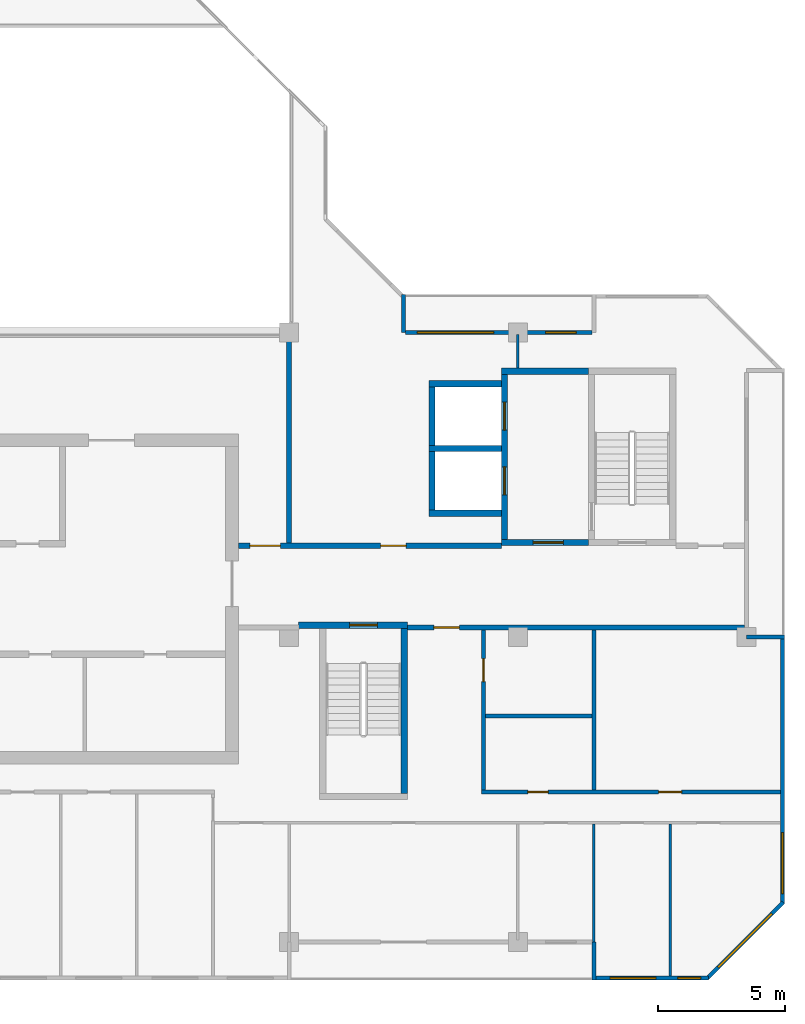
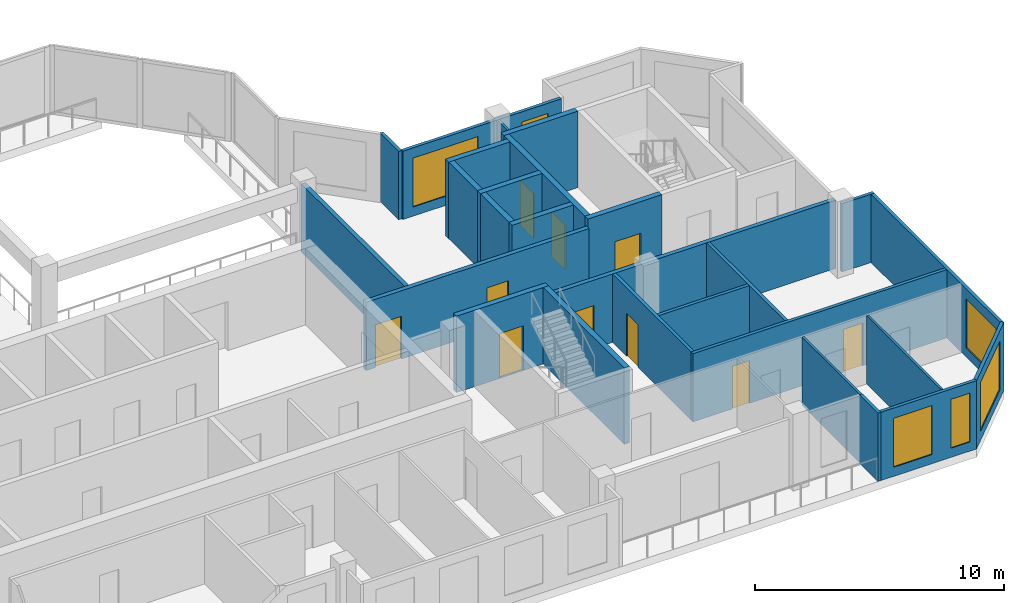
# One storey, part 6 of 12: 27 walls, 10 doors, 6 windows, 16 openings.
"""IFC4 building model written with IfcOpenShell, lengths in metres."""

from ifc_helpers import new_model, si_unit, direction, frame, frame_2d, origin, place, context, subcontext, project, spatial, rectangle, extrude, material, layer, layer_set, type_object, element, fill, save


model = new_model("IFC4")

# Units and contexts
model_context = context("Model", 3, precision=1e-05, world=origin(), true_north=direction((0.0, 1.0)))
body_context = subcontext(model_context, "Body", "Model", "MODEL_VIEW")
ifc_project = project(units=[si_unit("LENGTHUNIT", "METRE"), si_unit("AREAUNIT", "SQUARE_METRE"), si_unit("VOLUMEUNIT", "CUBIC_METRE"), si_unit("PLANEANGLEUNIT", "RADIAN"), si_unit("MASSUNIT", "GRAM", prefix="KILO")], contexts=[model_context])

# Site, building, storey
site_placement = place(None, origin())
site = spatial("IfcSite", under=ifc_project, at=site_placement, CompositionType="ELEMENT")
building_placement = place(site_placement, origin())
building = spatial("IfcBuilding", under=site, at=building_placement, Name="Chenar Terraces", CompositionType="ELEMENT")
storey_placement = place(building_placement, frame((0.0, 0.0, 350.14990234375)))
storey = spatial("IfcBuildingStorey", under=building, at=storey_placement, Name="L81", CompositionType="ELEMENT", Elevation=350.14990234375)

# Wall, opening, door
ifc_material_1 = material(Name="Concrete C50/60", Category="concrete")
ifc_layer_1 = layer(ifc_material_1, 0.25)
ifc_layer_set_1 = layer_set([ifc_layer_1], Name="Concrete C50/60")
wall_type_1 = type_object("IfcWallType", Name="Core wall 250 Concrete C50/60", PredefinedType="SHEAR", material=ifc_layer_set_1)
wall_1_placement = place(storey_placement, frame((36.375, 12.47509765625, 0.0), z_axis=(0.0, 0.0, 1.0), x_axis=(1.0, 0.0, 0.0)))
wall_1 = element("IfcWall", 1, at=wall_1_placement, inside=storey, type_object=wall_type_1, Name="Core wall ST2_N L81", PredefinedType="SHEAR", context=body_context, shape_type="SweptSolid", body=[
    extrude(rectangle(XDim=4.27490234375, YDim=0.25, at=frame_2d((2.137451171875, 0.0))), origin(), (0.0, 0.0, 1.0), 3.75),
])
opening_1_placement = place(wall_1_placement, frame((2.0, 0.0, 0.0)))
opening_1 = element("IfcOpeningElement", 2, at=opening_1_placement, cuts=wall_1, Name="Opening DL81-C7", PredefinedType="OPENING", context=body_context, shape_type="SweptSolid", body=[
    extrude(rectangle(XDim=1.10009765625, YDim=2.199951171875, at=frame_2d((0.550048828125, 1.10009765625))), frame((0.0, 0.135009765625, 0.0), z_axis=(0.0, -1.0, 0.0), x_axis=(1.0, 0.0, 0.0)), (0.0, 0.0, 1.0), 0.27001953125),
])
ifc_material_2 = material(Name="Steel-framed fire-resisting door leaf", Category="steel")
door_type_1 = type_object("IfcDoorType", Name="Stair fire door FD60 1100 x 2200", OperationType="SINGLE_SWING_LEFT", PredefinedType="DOOR", material=ifc_material_2)
door_1_placement = place(opening_1_placement, frame((1.10009765625, 0.0, 0.0), z_axis=(0.0, 0.0, 1.0), x_axis=(-1.0, 0.0, 0.0)))
door_1 = element("IfcDoor", 3, at=door_1_placement, inside=storey, type_object=door_type_1, Name="Stair door DL81-C7", OperationType="SINGLE_SWING_LEFT", OverallHeight=2.199951171875, OverallWidth=1.10009765625, PredefinedType="DOOR", context=body_context, shape_type="SweptSolid", body=[
    extrude(rectangle(XDim=1.10009765625, YDim=2.199951171875, at=frame_2d((0.550048828125, 1.10009765625))), frame((0.0, 0.02490234375, 0.0), z_axis=(0.0, -1.0, 0.0), x_axis=(1.0, 0.0, 0.0)), (0.0, 0.0, 1.0), 0.050048828125),
])
fill(opening_1, door_1)

# Wall
wall_2_placement = place(storey_placement, frame((40.52490234375, 5.85009765625, 0.0), z_axis=(0.0, 0.0, 1.0), x_axis=(0.0, 1.0, 0.0)))
element("IfcWall", 4, at=wall_2_placement, inside=storey, type_object=wall_type_1, Name="Core wall ST2_E L81", PredefinedType="SHEAR", context=body_context, shape_type="SweptSolid", body=[
    extrude(rectangle(XDim=6.5, YDim=0.25, at=frame_2d((3.25, 0.0))), origin(), (0.0, 0.0, 1.0), 3.75),
])

# Wall, opening, door
wall_3_placement = place(storey_placement, frame((44.35009765625, 15.72509765625, 0.0), z_axis=(0.0, 0.0, 1.0), x_axis=(1.0, 0.0, 0.0)))
wall_3 = element("IfcWall", 5, at=wall_3_placement, inside=storey, type_object=wall_type_1, Name="Core wall F3_LS L81", PredefinedType="SHEAR", context=body_context, shape_type="SweptSolid", body=[
    extrude(rectangle(XDim=3.4248046875, YDim=0.25, at=frame_2d((1.71240234375, 0.0))), origin(), (0.0, 0.0, 1.0), 3.75),
])
opening_2_placement = place(wall_3_placement, frame((1.25, 0.0, 0.0)))
opening_2 = element("IfcOpeningElement", 6, at=opening_2_placement, cuts=wall_3, Name="Opening DL81-C10", PredefinedType="OPENING", context=body_context, shape_type="SweptSolid", body=[
    extrude(rectangle(XDim=1.199951171875, YDim=2.199951171875, at=frame_2d((0.60009765625, 1.10009765625))), frame((0.0, 0.135009765625, 0.0), z_axis=(0.0, -1.0, 0.0), x_axis=(1.0, 0.0, 0.0)), (0.0, 0.0, 1.0), 0.27001953125),
])
ifc_material_3 = material(Name="Steel-framed fire-resisting door leaf", Category="steel")
door_type_2 = type_object("IfcDoorType", Name="Lobby fire door FD60 1200 x 2200", OperationType="SINGLE_SWING_LEFT", PredefinedType="DOOR", material=ifc_material_3)
door_2_placement = place(opening_2_placement, origin())
door_2 = element("IfcDoor", 7, at=door_2_placement, inside=storey, type_object=door_type_2, Name="Core door DL81-C10", OperationType="SINGLE_SWING_RIGHT", OverallHeight=2.199951171875, OverallWidth=1.199951171875, PredefinedType="DOOR", context=body_context, shape_type="SweptSolid", body=[
    extrude(rectangle(XDim=1.199951171875, YDim=2.199951171875, at=frame_2d((0.60009765625, 1.10009765625))), frame((0.0, 0.02490234375, 0.0), z_axis=(0.0, -1.0, 0.0), x_axis=(1.0, 0.0, 0.0)), (0.0, 0.0, 1.0), 0.050048828125),
])
fill(opening_2, door_2)

# Wall
wall_4_placement = place(storey_placement, frame((44.35009765625, 22.47509765625, 0.0), z_axis=(0.0, 0.0, 1.0), x_axis=(1.0, 0.0, 0.0)))
element("IfcWall", 8, at=wall_4_placement, inside=storey, type_object=wall_type_1, Name="Core wall F3_LN L81", PredefinedType="SHEAR", context=body_context, shape_type="SweptSolid", body=[
    extrude(rectangle(XDim=3.4248046875, YDim=0.25, at=frame_2d((1.71240234375, 0.0))), origin(), (0.0, 0.0, 1.0), 3.75),
])

# Wall, openings, doors
wall_5_placement = place(storey_placement, frame((44.47509765625, 15.85009765625, 0.0), z_axis=(0.0, 0.0, 1.0), x_axis=(0.0, 1.0, 0.0)))
wall_5 = element("IfcWall", 9, at=wall_5_placement, inside=storey, type_object=wall_type_1, Name="Core wall F3_LW L81", PredefinedType="SHEAR", context=body_context, shape_type="SweptSolid", body=[
    extrude(rectangle(XDim=6.5, YDim=0.25, at=frame_2d((3.25, 0.0))), origin(), (0.0, 0.0, 1.0), 3.75),
])
opening_3_placement = place(wall_5_placement, frame((1.75, 0.0, 0.0)))
opening_3 = element("IfcOpeningElement", 10, at=opening_3_placement, cuts=wall_5, Name="Opening DL81-LD8", PredefinedType="OPENING", context=body_context, shape_type="SweptSolid", body=[
    extrude(rectangle(XDim=1.10009765625, YDim=2.199951171875, at=frame_2d((0.550048828125, 1.10009765625))), frame((0.0, 0.135009765625, 0.0), z_axis=(0.0, -1.0, 0.0), x_axis=(1.0, 0.0, 0.0)), (0.0, 0.0, 1.0), 0.27001953125),
])
opening_4_placement = place(wall_5_placement, frame((4.300048828125, 0.0, 0.0)))
opening_4 = element("IfcOpeningElement", 11, at=opening_4_placement, cuts=wall_5, Name="Opening DL81-LD9", PredefinedType="OPENING", context=body_context, shape_type="SweptSolid", body=[
    extrude(rectangle(XDim=1.10009765625, YDim=2.199951171875, at=frame_2d((0.550048828125, 1.10009765625))), frame((0.0, 0.135009765625, 0.0), z_axis=(0.0, -1.0, 0.0), x_axis=(1.0, 0.0, 0.0)), (0.0, 0.0, 1.0), 0.27001953125),
])
ifc_material_4 = material(Name="Stainless steel", Category="steel")
door_type_3 = type_object("IfcDoorType", Name="Lift landing door 1100 x 2200 sliding", OperationType="DOUBLE_DOOR_SLIDING", PredefinedType="DOOR", material=ifc_material_4)
door_3_placement = place(opening_3_placement, origin())
door_3 = element("IfcDoor", 12, at=door_3_placement, inside=storey, type_object=door_type_3, Name="Landing door F3", OperationType="DOUBLE_DOOR_SLIDING", OverallHeight=2.199951171875, OverallWidth=1.10009765625, PredefinedType="DOOR", context=body_context, shape_type="SweptSolid", body=[
    extrude(rectangle(XDim=1.10009765625, YDim=2.199951171875, at=frame_2d((0.550048828125, 1.10009765625))), frame((0.0, 0.02490234375, 0.0), z_axis=(0.0, -1.0, 0.0), x_axis=(1.0, 0.0, 0.0)), (0.0, 0.0, 1.0), 0.050048828125),
])
fill(opening_3, door_3)
door_4_placement = place(opening_4_placement, origin())
door_4 = element("IfcDoor", 13, at=door_4_placement, inside=storey, type_object=door_type_3, Name="Landing door F4", OperationType="DOUBLE_DOOR_SLIDING", OverallHeight=2.199951171875, OverallWidth=1.10009765625, PredefinedType="DOOR", context=body_context, shape_type="SweptSolid", body=[
    extrude(rectangle(XDim=1.10009765625, YDim=2.199951171875, at=frame_2d((0.550048828125, 1.10009765625))), frame((0.0, 0.02490234375, 0.0), z_axis=(0.0, -1.0, 0.0), x_axis=(1.0, 0.0, 0.0)), (0.0, 0.0, 1.0), 0.050048828125),
])
fill(opening_4, door_4)

# Walls
for number, where, z_axis, x_axis, name in (
    (14, (41.5, 16.875, 0.0), (0.0, 0.0, 1.0), (1.0, 0.0, 0.0), "Core wall F3_SS L81"),
    (15, (41.5, 19.425048828125, 0.0), (0.0, 0.0, 1.0), (1.0, 0.0, 0.0), "Core wall F3_SM L81"),
    (16, (41.5, 21.97509765625, 0.0), (0.0, 0.0, 1.0), (1.0, 0.0, 0.0), "Core wall F4_SN L81"),
):
    element("IfcWall", number, at=place(storey_placement, frame(where, z_axis=z_axis, x_axis=x_axis)), inside=storey, type_object=wall_type_1, Name=name, PredefinedType="SHEAR", context=body_context, shape_type="SweptSolid", body=[
        extrude(rectangle(XDim=2.85009765625, YDim=0.25, at=frame_2d((1.425048828125, 0.0))), origin(), (0.0, 0.0, 1.0), 3.75),
    ])
for number, where, z_axis, x_axis, name in (
    (17, (41.625, 17.0, 0.0), (0.0, 0.0, 1.0), (0.0, 1.0, 0.0), "Core wall F3_SW L81"),
    (18, (41.625, 19.550048828125, 0.0), (0.0, 0.0, 1.0), (0.0, 1.0, 0.0), "Core wall F4_SW L81"),
):
    element("IfcWall", number, at=place(storey_placement, frame(where, z_axis=z_axis, x_axis=x_axis)), inside=storey, type_object=wall_type_1, Name=name, PredefinedType="SHEAR", context=body_context, shape_type="SweptSolid", body=[
        extrude(rectangle(XDim=2.300048828125, YDim=0.25, at=frame_2d((1.14990234375, 0.0))), origin(), (0.0, 0.0, 1.0), 3.75),
    ])

# Wall, openings, doors
ifc_material_5 = material(Name="Gypsum board on steel studs with fire boards", Category="steel")
ifc_layer_2 = layer(ifc_material_5, 0.199951171875)
ifc_layer_set_2 = layer_set([ifc_layer_2], Name="Gypsum board on steel studs with fire boards")
wall_type_2 = type_object("IfcWallType", Name="Corridor wall 200", PredefinedType="PARTITIONING", material=ifc_layer_set_2)
wall_6_placement = place(storey_placement, frame((34.0, 15.60009765625, 0.0), z_axis=(0.0, 0.0, 1.0), x_axis=(1.0, 0.0, 0.0)))
wall_6 = element("IfcWall", 19, at=wall_6_placement, inside=storey, type_object=wall_type_2, Name="Partition L81-052", PredefinedType="PARTITIONING", context=body_context, shape_type="SweptSolid", body=[
    extrude(rectangle(XDim=10.35009765625, YDim=0.199951171875, at=frame_2d((5.175048828125, 0.0))), origin(), (0.0, 0.0, 1.0), 3.35009765625),
])
opening_5_placement = place(wall_6_placement, frame((5.60009765625, 0.0, 0.0)))
opening_5 = element("IfcOpeningElement", 20, at=opening_5_placement, cuts=wall_6, Name="Opening DL81-3", PredefinedType="OPENING", context=body_context, shape_type="SweptSolid", body=[
    extrude(rectangle(XDim=1.0, YDim=2.10009765625, at=frame_2d((0.5, 1.050048828125))), frame((0.0, 0.10986328125, 0.0), z_axis=(0.0, -1.0, 0.0), x_axis=(1.0, 0.0, 0.0)), (0.0, 0.0, 1.0), 0.219970703125),
])
opening_6_placement = place(wall_6_placement, frame((0.449951171875, 0.0, 0.0)))
opening_6 = element("IfcOpeningElement", 21, at=opening_6_placement, cuts=wall_6, Name="Opening DL81-20", PredefinedType="OPENING", context=body_context, shape_type="SweptSolid", body=[
    extrude(rectangle(XDim=1.199951171875, YDim=2.10009765625, at=frame_2d((0.60009765625, 1.050048828125))), frame((0.0, 0.10986328125, 0.0), z_axis=(0.0, -1.0, 0.0), x_axis=(1.0, 0.0, 0.0)), (0.0, 0.0, 1.0), 0.219970703125),
])
ifc_material_6 = material(Name="Steel-framed fire-resisting door leaf", Category="steel")
door_type_4 = type_object("IfcDoorType", Name="Fire door FD60 1000 x 2100", OperationType="SINGLE_SWING_LEFT", PredefinedType="DOOR", material=ifc_material_6)
door_5_placement = place(opening_5_placement, origin())
door_5 = element("IfcDoor", 22, at=door_5_placement, inside=storey, type_object=door_type_4, Name="Door DL81-3", OperationType="SINGLE_SWING_RIGHT", OverallHeight=2.10009765625, OverallWidth=1.0, PredefinedType="DOOR", context=body_context, shape_type="SweptSolid", body=[
    extrude(rectangle(XDim=1.0, YDim=2.10009765625, at=frame_2d((0.5, 1.050048828125))), frame((0.0, 0.02490234375, 0.0), z_axis=(0.0, -1.0, 0.0), x_axis=(1.0, 0.0, 0.0)), (0.0, 0.0, 1.0), 0.050048828125),
])
fill(opening_5, door_5)
ifc_material_7 = material(Name="Steel-framed fire-resisting door leaf", Category="steel")
door_type_5 = type_object("IfcDoorType", Name="Fire door FD60 1200 x 2100", OperationType="SINGLE_SWING_LEFT", PredefinedType="DOOR", material=ifc_material_7)
door_6_placement = place(opening_6_placement, origin())
door_6 = element("IfcDoor", 23, at=door_6_placement, inside=storey, type_object=door_type_5, Name="Door DL81-20", OperationType="SINGLE_SWING_RIGHT", OverallHeight=2.10009765625, OverallWidth=1.199951171875, PredefinedType="DOOR", context=body_context, shape_type="SweptSolid", body=[
    extrude(rectangle(XDim=1.199951171875, YDim=2.10009765625, at=frame_2d((0.60009765625, 1.050048828125))), frame((0.0, 0.02490234375, 0.0), z_axis=(0.0, -1.0, 0.0), x_axis=(1.0, 0.0, 0.0)), (0.0, 0.0, 1.0), 0.050048828125),
])
fill(opening_6, door_6)

# Wall
wall_7_placement = place(storey_placement, frame((36.0, 15.699951171875, 0.0), z_axis=(0.0, 0.0, 1.0), x_axis=(0.0, 1.0, 0.0)))
element("IfcWall", 24, at=wall_7_placement, inside=storey, type_object=wall_type_2, Name="Partition L81-054", PredefinedType="PARTITIONING", context=body_context, shape_type="SweptSolid", body=[
    extrude(rectangle(XDim=8.300048828125, YDim=0.199951171875, at=frame_2d((4.14990234375, 0.0))), origin(), (0.0, 0.0, 1.0), 3.35009765625),
])

# Wall, opening, door
wall_8_placement = place(storey_placement, frame((40.64990234375, 12.375, 0.0), z_axis=(0.0, 0.0, 1.0), x_axis=(1.0, 0.0, 0.0)))
wall_8 = element("IfcWall", 25, at=wall_8_placement, inside=storey, type_object=wall_type_2, Name="Partition L81-055", PredefinedType="PARTITIONING", context=body_context, shape_type="SweptSolid", body=[
    extrude(rectangle(XDim=13.276123046875, YDim=0.199951171875, at=frame_2d((6.63818359375, 0.0))), origin(), (0.0, 0.0, 1.0), 3.35009765625),
])
opening_7_placement = place(wall_8_placement, frame((1.050048828125, 0.0, 0.0)))
opening_7 = element("IfcOpeningElement", 26, at=opening_7_placement, cuts=wall_8, Name="Opening DL81-37", PredefinedType="OPENING", context=body_context, shape_type="SweptSolid", body=[
    extrude(rectangle(XDim=1.0, YDim=2.10009765625, at=frame_2d((0.5, 1.050048828125))), frame((0.0, 0.10986328125, 0.0), z_axis=(0.0, -1.0, 0.0), x_axis=(1.0, 0.0, 0.0)), (0.0, 0.0, 1.0), 0.219970703125),
])
ifc_material_8 = material(Name="Steel-framed fire-resisting door leaf", Category="steel")
door_type_6 = type_object("IfcDoorType", Name="Fire door FD30S 1000 x 2100", OperationType="SINGLE_SWING_LEFT", PredefinedType="DOOR", material=ifc_material_8)
door_7_placement = place(opening_7_placement, origin())
door_7 = element("IfcDoor", 27, at=door_7_placement, inside=storey, type_object=door_type_6, Name="Door DL81-37", OperationType="SINGLE_SWING_LEFT", OverallHeight=2.10009765625, OverallWidth=1.0, PredefinedType="DOOR", context=body_context, shape_type="SweptSolid", body=[
    extrude(rectangle(XDim=1.0, YDim=2.10009765625, at=frame_2d((0.5, 1.050048828125))), frame((0.0, 0.02490234375, 0.0), z_axis=(0.0, -1.0, 0.0), x_axis=(1.0, 0.0, 0.0)), (0.0, 0.0, 1.0), 0.050048828125),
])
fill(opening_7, door_7)

# Wall, openings, windows
ifc_material_9 = material(Name="Aluminium framed glazing", Category="aluminium")
ifc_layer_3 = layer(ifc_material_9, 0.14990234375)
ifc_layer_set_3 = layer_set([ifc_layer_3], Name="Aluminium framed glazing")
wall_type_3 = type_object("IfcWallType", Name="Glazed flush facade wall 150", PredefinedType="SOLIDWALL", material=ifc_layer_set_3)
wall_9_placement = place(storey_placement, frame((48.074951171875, -1.425048828125, 0.0), z_axis=(0.0, 0.0, 1.0), x_axis=(1.0, 0.0, 0.0)))
wall_9 = element("IfcWall", 28, at=wall_9_placement, inside=storey, type_object=wall_type_3, Name="Glazed flush facade wall", PredefinedType="SOLIDWALL", context=body_context, shape_type="SweptSolid", body=[
    extrude(rectangle(XDim=4.425048828125, YDim=0.14990234375, at=frame_2d((2.21240234375, 0.0))), origin(), (0.0, 0.0, 1.0), 3.35009765625),
])
opening_8_placement = place(wall_9_placement, frame((0.5625, 0.0, 0.449951171875)))
opening_8 = element("IfcOpeningElement", 29, at=opening_8_placement, cuts=wall_9, Name="Opening W180x240", PredefinedType="OPENING", context=body_context, shape_type="SweptSolid", body=[
    extrude(rectangle(XDim=1.800048828125, YDim=2.39990234375, at=frame_2d((0.89990234375, 1.199951171875))), frame((0.0, 0.0849609375, 0.0), z_axis=(0.0, -1.0, 0.0), x_axis=(1.0, 0.0, 0.0)), (0.0, 0.0, 1.0), 0.169921875),
])
opening_9_placement = place(wall_9_placement, frame((3.22509765625, 0.0, 0.449951171875)))
opening_9 = element("IfcOpeningElement", 30, at=opening_9_placement, cuts=wall_9, Name="Opening W90x240", PredefinedType="OPENING", context=body_context, shape_type="SweptSolid", body=[
    extrude(rectangle(XDim=0.89990234375, YDim=2.39990234375, at=frame_2d((0.449951171875, 1.199951171875))), frame((0.0, 0.0849609375, 0.0), z_axis=(0.0, -1.0, 0.0), x_axis=(1.0, 0.0, 0.0)), (0.0, 0.0, 1.0), 0.169921875),
])
ifc_material_10 = material(Name="Low emissivity double glazing, aluminium frame", Category="aluminium")
window_type_1 = type_object("IfcWindowType", Name="Fixed light 1800 x 2400", PartitioningType="SINGLE_PANEL", PredefinedType="WINDOW", material=ifc_material_10)
window_1_placement = place(opening_8_placement, origin())
window_1 = element("IfcWindow", 31, at=window_1_placement, inside=storey, type_object=window_type_1, Name="Window", OverallHeight=2.39990234375, OverallWidth=1.800048828125, PartitioningType="SINGLE_PANEL", PredefinedType="WINDOW", context=body_context, shape_type="SweptSolid", body=[
    extrude(rectangle(XDim=1.800048828125, YDim=2.39990234375, at=frame_2d((0.89990234375, 1.199951171875))), frame((0.0, 0.030029296875, 0.0), z_axis=(0.0, -1.0, 0.0), x_axis=(1.0, 0.0, 0.0)), (0.0, 0.0, 1.0), 0.06005859375),
])
fill(opening_8, window_1)
ifc_material_11 = material(Name="Low emissivity double glazing, aluminium frame", Category="aluminium")
window_type_2 = type_object("IfcWindowType", Name="Fixed light 900 x 2400", PartitioningType="SINGLE_PANEL", PredefinedType="WINDOW", material=ifc_material_11)
window_2_placement = place(opening_9_placement, origin())
window_2 = element("IfcWindow", 32, at=window_2_placement, inside=storey, type_object=window_type_2, Name="Window", OverallHeight=2.39990234375, OverallWidth=0.89990234375, PartitioningType="SINGLE_PANEL", PredefinedType="WINDOW", context=body_context, shape_type="SweptSolid", body=[
    extrude(rectangle(XDim=0.89990234375, YDim=2.39990234375, at=frame_2d((0.449951171875, 1.199951171875))), frame((0.0, 0.030029296875, 0.0), z_axis=(0.0, -1.0, 0.0), x_axis=(1.0, 0.0, 0.0)), (0.0, 0.0, 1.0), 0.06005859375),
])
fill(opening_9, window_2)

# Wall, opening, window
wall_10_placement = place(storey_placement, frame((55.425048828125, 1.5, 0.0), z_axis=(0.0, 0.0, 1.0), x_axis=(0.0, 1.0, 0.0)))
wall_10 = element("IfcWall", 33, at=wall_10_placement, inside=storey, type_object=wall_type_3, Name="Glazed flush facade wall", PredefinedType="SOLIDWALL", context=body_context, shape_type="SweptSolid", body=[
    extrude(rectangle(XDim=10.425048828125, YDim=0.14990234375, at=frame_2d((5.21240234375, 0.0))), origin(), (0.0, 0.0, 1.0), 3.35009765625),
])
opening_10_placement = place(wall_10_placement, frame((0.39990234375, 0.0, 0.449951171875)))
opening_10 = element("IfcOpeningElement", 34, at=opening_10_placement, cuts=wall_10, Name="Opening W240x240", PredefinedType="OPENING", context=body_context, shape_type="SweptSolid", body=[
    extrude(rectangle(XDim=2.39990234375, YDim=2.39990234375, at=frame_2d((1.199951171875, 1.199951171875))), frame((0.0, 0.0849609375, 0.0), z_axis=(0.0, -1.0, 0.0), x_axis=(1.0, 0.0, 0.0)), (0.0, 0.0, 1.0), 0.169921875),
])
ifc_material_12 = material(Name="Low emissivity double glazing, aluminium frame", Category="aluminium")
window_type_3 = type_object("IfcWindowType", Name="Fixed light 2400 x 2400", PartitioningType="SINGLE_PANEL", PredefinedType="WINDOW", material=ifc_material_12)
window_3_placement = place(opening_10_placement, origin())
window_3 = element("IfcWindow", 35, at=window_3_placement, inside=storey, type_object=window_type_3, Name="Window", OverallHeight=2.39990234375, OverallWidth=2.39990234375, PartitioningType="SINGLE_PANEL", PredefinedType="WINDOW", context=body_context, shape_type="SweptSolid", body=[
    extrude(rectangle(XDim=2.39990234375, YDim=2.39990234375, at=frame_2d((1.199951171875, 1.199951171875))), frame((0.0, 0.030029296875, 0.0), z_axis=(0.0, -1.0, 0.0), x_axis=(1.0, 0.0, 0.0)), (0.0, 0.0, 1.0), 0.06005859375),
])
fill(opening_10, window_3)

# Wall, openings, windows
ifc_material_13 = material(Name="Aluminium framed glazing", Category="aluminium")
ifc_layer_4 = layer(ifc_material_13, 0.14990234375)
ifc_layer_set_4 = layer_set([ifc_layer_4], Name="Aluminium framed glazing")
wall_type_4 = type_object("IfcWallType", Name="Glazed loggia back wall 150", PredefinedType="SOLIDWALL", material=ifc_layer_set_4)
wall_11_placement = place(storey_placement, frame((47.925048828125, 24.0, 0.0), z_axis=(0.0, 0.0, 1.0), x_axis=(-1.0, 0.0, 0.0)))
wall_11 = element("IfcWall", 36, at=wall_11_placement, inside=storey, type_object=wall_type_4, Name="Glazed loggia back wall", PredefinedType="SOLIDWALL", context=body_context, shape_type="SweptSolid", body=[
    extrude(rectangle(XDim=7.35009765625, YDim=0.14990234375, at=frame_2d((3.675048828125, 0.0))), origin(), (0.0, 0.0, 1.0), 3.35009765625),
])
opening_11_placement = place(wall_11_placement, frame((0.625, 0.0, 0.449951171875)))
opening_11 = element("IfcOpeningElement", 37, at=opening_11_placement, cuts=wall_11, Name="Opening W120x240", PredefinedType="OPENING", context=body_context, shape_type="SweptSolid", body=[
    extrude(rectangle(XDim=1.199951171875, YDim=2.39990234375, at=frame_2d((0.60009765625, 1.199951171875))), frame((0.0, 0.0849609375, 0.0), z_axis=(0.0, -1.0, 0.0), x_axis=(1.0, 0.0, 0.0)), (0.0, 0.0, 1.0), 0.169921875),
])
opening_12_placement = place(wall_11_placement, frame((3.875, 0.0, 0.449951171875)))
opening_12 = element("IfcOpeningElement", 38, at=opening_12_placement, cuts=wall_11, Name="Opening W300x240", PredefinedType="OPENING", context=body_context, shape_type="SweptSolid", body=[
    extrude(rectangle(XDim=3.0, YDim=2.39990234375, at=frame_2d((1.5, 1.199951171875))), frame((0.0, 0.0849609375, 0.0), z_axis=(0.0, -1.0, 0.0), x_axis=(1.0, 0.0, 0.0)), (0.0, 0.0, 1.0), 0.169921875),
])
ifc_material_14 = material(Name="Low emissivity double glazing, aluminium frame", Category="aluminium")
window_type_4 = type_object("IfcWindowType", Name="Fixed light 1200 x 2400", PartitioningType="SINGLE_PANEL", PredefinedType="WINDOW", material=ifc_material_14)
window_4_placement = place(opening_11_placement, origin())
window_4 = element("IfcWindow", 39, at=window_4_placement, inside=storey, type_object=window_type_4, Name="Window", OverallHeight=2.39990234375, OverallWidth=1.199951171875, PartitioningType="SINGLE_PANEL", PredefinedType="WINDOW", context=body_context, shape_type="SweptSolid", body=[
    extrude(rectangle(XDim=1.199951171875, YDim=2.39990234375, at=frame_2d((0.60009765625, 1.199951171875))), frame((0.0, 0.030029296875, 0.0), z_axis=(0.0, -1.0, 0.0), x_axis=(1.0, 0.0, 0.0)), (0.0, 0.0, 1.0), 0.06005859375),
])
fill(opening_11, window_4)
ifc_material_15 = material(Name="Low emissivity double glazing, aluminium frame", Category="aluminium")
window_type_5 = type_object("IfcWindowType", Name="Fixed light 3000 x 2400", PartitioningType="SINGLE_PANEL", PredefinedType="WINDOW", material=ifc_material_15)
window_5_placement = place(opening_12_placement, origin())
window_5 = element("IfcWindow", 40, at=window_5_placement, inside=storey, type_object=window_type_5, Name="Window", OverallHeight=2.39990234375, OverallWidth=3.0, PartitioningType="SINGLE_PANEL", PredefinedType="WINDOW", context=body_context, shape_type="SweptSolid", body=[
    extrude(rectangle(XDim=3.0, YDim=2.39990234375, at=frame_2d((1.5, 1.199951171875))), frame((0.0, 0.030029296875, 0.0), z_axis=(0.0, -1.0, 0.0), x_axis=(1.0, 0.0, 0.0)), (0.0, 0.0, 1.0), 0.06005859375),
])
fill(opening_12, window_5)

# Walls
ifc_material_16 = material(Name="Gypsum board on steel studs", Category="steel")
ifc_layer_5 = layer(ifc_material_16, 0.10009765625)
ifc_layer_set_5 = layer_set([ifc_layer_5], Name="Gypsum board on steel studs")
wall_type_5 = type_object("IfcWallType", Name="Gypsum partition 100", PredefinedType="PARTITIONING", material=ifc_layer_set_5)
wall_12_placement = place(storey_placement, frame((45.0, 22.60009765625, 0.0), z_axis=(0.0, 0.0, 1.0), x_axis=(0.0, 1.0, 0.0)))
element("IfcWall", 41, at=wall_12_placement, inside=storey, type_object=wall_type_5, Name="Partition L81-060", PredefinedType="PARTITIONING", context=body_context, shape_type="SweptSolid", body=[
    extrude(rectangle(XDim=1.325927734375, YDim=0.10009765625, at=frame_2d((0.6630859375, 0.0))), origin(), (0.0, 0.0, 1.0), 3.35009765625),
])
wall_13_placement = place(storey_placement, frame((48.0, 0.0, 0.0), z_axis=(0.0, 0.0, 1.0), x_axis=(0.0, 1.0, 0.0)))
element("IfcWall", 42, at=wall_13_placement, inside=storey, type_object=wall_type_5, Name="Partition L81-061", PredefinedType="PARTITIONING", context=body_context, shape_type="SweptSolid", body=[
    extrude(rectangle(XDim=4.64990234375, YDim=0.10009765625, at=frame_2d((2.324951171875, 0.0))), origin(), (0.0, 0.0, 1.0), 3.35009765625),
])
wall_14_placement = place(storey_placement, frame((51.0, -1.35107421875, 0.0), z_axis=(0.0, 0.0, 1.0), x_axis=(0.0, 1.0, 0.0)))
element("IfcWall", 43, at=wall_14_placement, inside=storey, type_object=wall_type_5, Name="Partition L81-063", PredefinedType="PARTITIONING", context=body_context, shape_type="SweptSolid", body=[
    extrude(rectangle(XDim=6.0009765625, YDim=0.10009765625, at=frame_2d((3.00048828125, 0.0))), origin(), (0.0, 0.0, 1.0), 3.35009765625),
])
ifc_material_17 = material(Name="Terracotta cladding on insulated backing", Category="masonry")
ifc_layer_6 = layer(ifc_material_17, 0.14990234375)
ifc_layer_set_6 = layer_set([ifc_layer_6], Name="Terracotta cladding on insulated backing")
wall_type_6 = type_object("IfcWallType", Name="Loggia return wall 150", PredefinedType="SOLIDWALL", material=ifc_layer_set_6)
for number, where, z_axis, x_axis, name in (
    (44, (40.5, 25.5, 0.0), (0.0, 0.0, 1.0), (0.0, -1.0, 0.0), "Loggia return wall"),
    (45, (48.0, -1.5, 0.0), (0.0, 0.0, 1.0), (0.0, 1.0, 0.0), "Loggia return wall"),
    (46, (55.5, 12.0, 0.0), (0.0, 0.0, 1.0), (-1.0, 0.0, 0.0), "Loggia return wall"),
):
    element("IfcWall", number, at=place(storey_placement, frame(where, z_axis=z_axis, x_axis=x_axis)), inside=storey, type_object=wall_type_6, Name=name, PredefinedType="SOLIDWALL", context=body_context, shape_type="SweptSolid", body=[
        extrude(rectangle(XDim=1.5, YDim=0.14990234375, at=frame_2d((0.75, 0.0))), origin(), (0.0, 0.0, 1.0), 3.35009765625),
    ])

# Wall, opening, window
ifc_material_18 = material(Name="Terracotta cladding on insulated backing", Category="masonry")
ifc_layer_7 = layer(ifc_material_18, 0.14990234375)
ifc_layer_set_7 = layer_set([ifc_layer_7], Name="Terracotta cladding on insulated backing")
wall_type_7 = type_object("IfcWallType", Name="Terracotta rainscreen wall 150", PredefinedType="SOLIDWALL", material=ifc_layer_set_7)
wall_15_placement = place(storey_placement, frame((52.447021484375, -1.447021484375, 0.0), z_axis=(0.0, 0.0, 1.0), x_axis=(0.707106781187, 0.707106781187, 0.0)))
wall_15 = element("IfcWall", 47, at=wall_15_placement, inside=storey, type_object=wall_type_7, Name="Terracotta rainscreen wall", PredefinedType="SOLIDWALL", context=body_context, shape_type="SweptSolid", body=[
    extrude(rectangle(XDim=4.24267578125, YDim=0.14990234375, at=frame_2d((2.121337890625, 0.0))), origin(), (0.0, 0.0, 1.0), 3.35009765625),
])
opening_13_placement = place(wall_15_placement, frame((0.621337890625, 0.0, 0.449951171875)))
opening_13 = element("IfcOpeningElement", 48, at=opening_13_placement, cuts=wall_15, Name="Opening W300x240", PredefinedType="OPENING", context=body_context, shape_type="SweptSolid", body=[
    extrude(rectangle(XDim=3.0, YDim=2.39990234375, at=frame_2d((1.5, 1.199951171875))), frame((0.0, 0.0849609375, 0.0), z_axis=(0.0, -1.0, 0.0), x_axis=(1.0, 0.0, 0.0)), (0.0, 0.0, 1.0), 0.169921875),
])
window_6_placement = place(opening_13_placement, origin())
window_6 = element("IfcWindow", 49, at=window_6_placement, inside=storey, type_object=window_type_5, Name="Window", OverallHeight=2.39990234375, OverallWidth=3.0, PartitioningType="SINGLE_PANEL", PredefinedType="WINDOW", context=body_context, shape_type="SweptSolid", body=[
    extrude(rectangle(XDim=3.0, YDim=2.39990234375, at=frame_2d((1.5, 1.199951171875))), frame((0.0, 0.030029296875, 0.0), z_axis=(0.0, -1.0, 0.0), x_axis=(1.0, 0.0, 0.0)), (0.0, 0.0, 1.0), 0.06005859375),
])
fill(opening_13, window_6)

# Wall, openings, doors
ifc_material_19 = material(Name="Moisture-resistant gypsum board on steel studs", Category="steel")
ifc_layer_8 = layer(ifc_material_19, 0.14990234375)
ifc_layer_set_8 = layer_set([ifc_layer_8], Name="Moisture-resistant gypsum board on steel studs")
wall_type_8 = type_object("IfcWallType", Name="Wet-room partition 150", PredefinedType="PARTITIONING", material=ifc_layer_set_8)
wall_16_placement = place(storey_placement, frame((43.574951171875, 5.89990234375, 0.0), z_axis=(0.0, 0.0, 1.0), x_axis=(1.0, 0.0, 0.0)))
wall_16 = element("IfcWall", 50, at=wall_16_placement, inside=storey, type_object=wall_type_8, Name="Partition L81-056", PredefinedType="PARTITIONING", context=body_context, shape_type="SweptSolid", body=[
    extrude(rectangle(XDim=11.775146484375, YDim=0.14990234375, at=frame_2d((5.8876953125, 0.0))), origin(), (0.0, 0.0, 1.0), 3.35009765625),
])
opening_14_placement = place(wall_16_placement, frame((1.824951171875, 0.0, 0.0)))
opening_14 = element("IfcOpeningElement", 51, at=opening_14_placement, cuts=wall_16, Name="Opening DL81-25", PredefinedType="OPENING", context=body_context, shape_type="SweptSolid", body=[
    extrude(rectangle(XDim=0.800048828125, YDim=2.10009765625, at=frame_2d((0.39990234375, 1.050048828125))), frame((0.0, 0.0849609375, 0.0), z_axis=(0.0, -1.0, 0.0), x_axis=(1.0, 0.0, 0.0)), (0.0, 0.0, 1.0), 0.169921875),
])
opening_15_placement = place(wall_16_placement, frame((6.97509765625, 0.0, 0.0)))
opening_15 = element("IfcOpeningElement", 52, at=opening_15_placement, cuts=wall_16, Name="Opening DL81-35", PredefinedType="OPENING", context=body_context, shape_type="SweptSolid", body=[
    extrude(rectangle(XDim=0.89990234375, YDim=2.10009765625, at=frame_2d((0.449951171875, 1.050048828125))), frame((0.0, 0.0849609375, 0.0), z_axis=(0.0, -1.0, 0.0), x_axis=(1.0, 0.0, 0.0)), (0.0, 0.0, 1.0), 0.169921875),
])
ifc_material_20 = material(Name="Veneered timber door leaf", Category="wood")
door_type_7 = type_object("IfcDoorType", Name="Door 800 x 2100", OperationType="SINGLE_SWING_LEFT", PredefinedType="DOOR", material=ifc_material_20)
door_8_placement = place(opening_14_placement, origin())
door_8 = element("IfcDoor", 53, at=door_8_placement, inside=storey, type_object=door_type_7, Name="Door DL81-25", OperationType="SINGLE_SWING_RIGHT", OverallHeight=2.10009765625, OverallWidth=0.800048828125, PredefinedType="DOOR", context=body_context, shape_type="SweptSolid", body=[
    extrude(rectangle(XDim=0.800048828125, YDim=2.10009765625, at=frame_2d((0.39990234375, 1.050048828125))), frame((0.0, 0.02490234375, 0.0), z_axis=(0.0, -1.0, 0.0), x_axis=(1.0, 0.0, 0.0)), (0.0, 0.0, 1.0), 0.050048828125),
])
fill(opening_14, door_8)
ifc_material_21 = material(Name="Veneered timber door leaf", Category="wood")
door_type_8 = type_object("IfcDoorType", Name="Door 900 x 2100", OperationType="SINGLE_SWING_LEFT", PredefinedType="DOOR", material=ifc_material_21)
door_9_placement = place(opening_15_placement, origin())
door_9 = element("IfcDoor", 54, at=door_9_placement, inside=storey, type_object=door_type_8, Name="Door DL81-35", OperationType="SINGLE_SWING_RIGHT", OverallHeight=2.10009765625, OverallWidth=0.89990234375, PredefinedType="DOOR", context=body_context, shape_type="SweptSolid", body=[
    extrude(rectangle(XDim=0.89990234375, YDim=2.10009765625, at=frame_2d((0.449951171875, 1.050048828125))), frame((0.0, 0.02490234375, 0.0), z_axis=(0.0, -1.0, 0.0), x_axis=(1.0, 0.0, 0.0)), (0.0, 0.0, 1.0), 0.050048828125),
])
fill(opening_15, door_9)

# Wall, opening, door
wall_17_placement = place(storey_placement, frame((43.64990234375, 5.97509765625, 0.0), z_axis=(0.0, 0.0, 1.0), x_axis=(0.0, 1.0, 0.0)))
wall_17 = element("IfcWall", 55, at=wall_17_placement, inside=storey, type_object=wall_type_8, Name="Partition L81-057", PredefinedType="PARTITIONING", context=body_context, shape_type="SweptSolid", body=[
    extrude(rectangle(XDim=6.2998046875, YDim=0.14990234375, at=frame_2d((3.14990234375, 0.0))), origin(), (0.0, 0.0, 1.0), 3.35009765625),
])
opening_16_placement = place(wall_17_placement, frame((4.27490234375, 0.0, 0.0)))
opening_16 = element("IfcOpeningElement", 56, at=opening_16_placement, cuts=wall_17, Name="Opening DL81-38", PredefinedType="OPENING", context=body_context, shape_type="SweptSolid", body=[
    extrude(rectangle(XDim=0.89990234375, YDim=2.10009765625, at=frame_2d((0.449951171875, 1.050048828125))), frame((0.0, 0.0849609375, 0.0), z_axis=(0.0, -1.0, 0.0), x_axis=(1.0, 0.0, 0.0)), (0.0, 0.0, 1.0), 0.169921875),
])
door_10_placement = place(opening_16_placement, frame((0.89990234375, 0.0, 0.0), z_axis=(0.0, 0.0, 1.0), x_axis=(-1.0, 0.0, 0.0)))
door_10 = element("IfcDoor", 57, at=door_10_placement, inside=storey, type_object=door_type_8, Name="Door DL81-38", OperationType="SINGLE_SWING_LEFT", OverallHeight=2.10009765625, OverallWidth=0.89990234375, PredefinedType="DOOR", context=body_context, shape_type="SweptSolid", body=[
    extrude(rectangle(XDim=0.89990234375, YDim=2.10009765625, at=frame_2d((0.449951171875, 1.050048828125))), frame((0.0, 0.02490234375, 0.0), z_axis=(0.0, -1.0, 0.0), x_axis=(1.0, 0.0, 0.0)), (0.0, 0.0, 1.0), 0.050048828125),
])
fill(opening_16, door_10)

# Walls
wall_18_placement = place(storey_placement, frame((43.72509765625, 8.89990234375, 0.0), z_axis=(0.0, 0.0, 1.0), x_axis=(1.0, 0.0, 0.0)))
element("IfcWall", 58, at=wall_18_placement, inside=storey, type_object=wall_type_8, Name="Partition L81-058", PredefinedType="PARTITIONING", context=body_context, shape_type="SweptSolid", body=[
    extrude(rectangle(XDim=4.199951171875, YDim=0.14990234375, at=frame_2d((2.10009765625, 0.0))), origin(), (0.0, 0.0, 1.0), 3.35009765625),
])
wall_19_placement = place(storey_placement, frame((48.0, 5.97509765625, 0.0), z_axis=(0.0, 0.0, 1.0), x_axis=(0.0, 1.0, 0.0)))
element("IfcWall", 59, at=wall_19_placement, inside=storey, type_object=wall_type_8, Name="Partition L81-062", PredefinedType="PARTITIONING", context=body_context, shape_type="SweptSolid", body=[
    extrude(rectangle(XDim=6.2998046875, YDim=0.14990234375, at=frame_2d((3.14990234375, 0.0))), origin(), (0.0, 0.0, 1.0), 3.35009765625),
])

save(model, "model.ifc")
